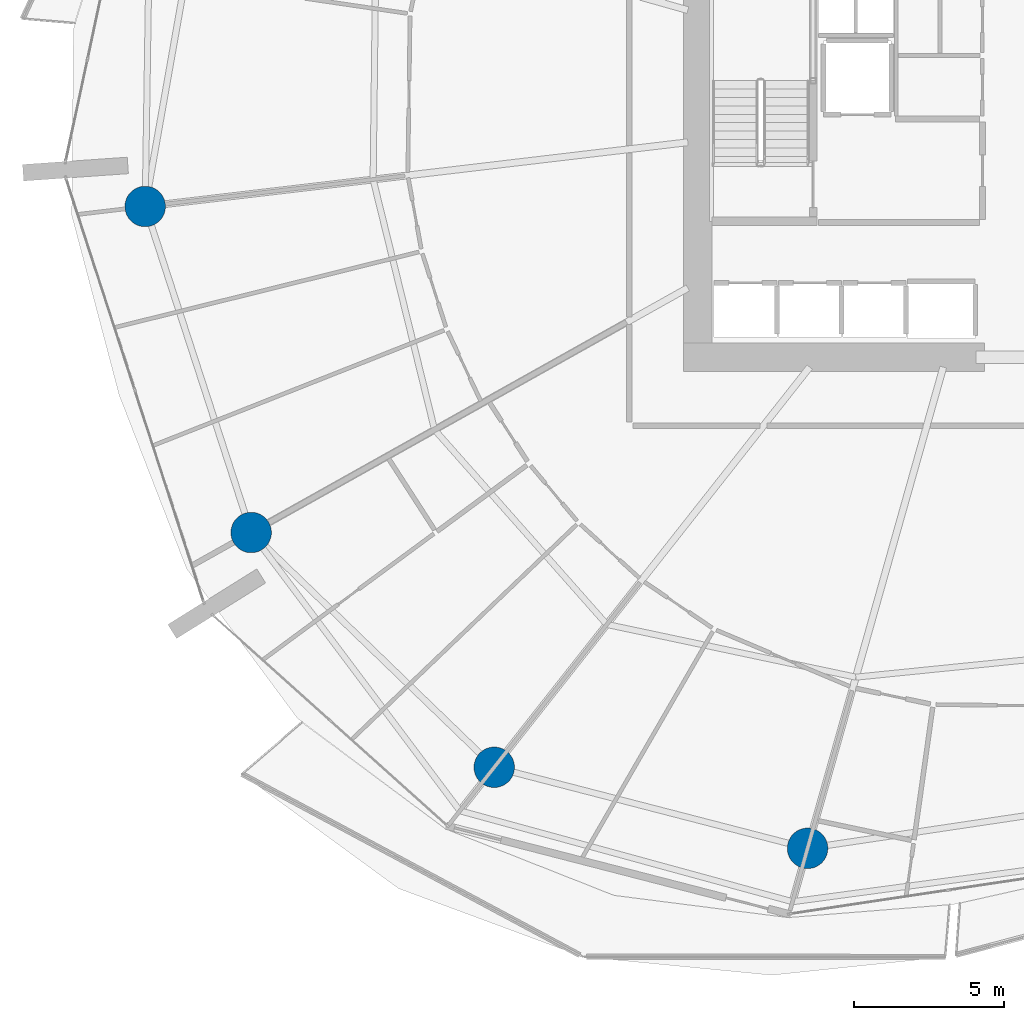
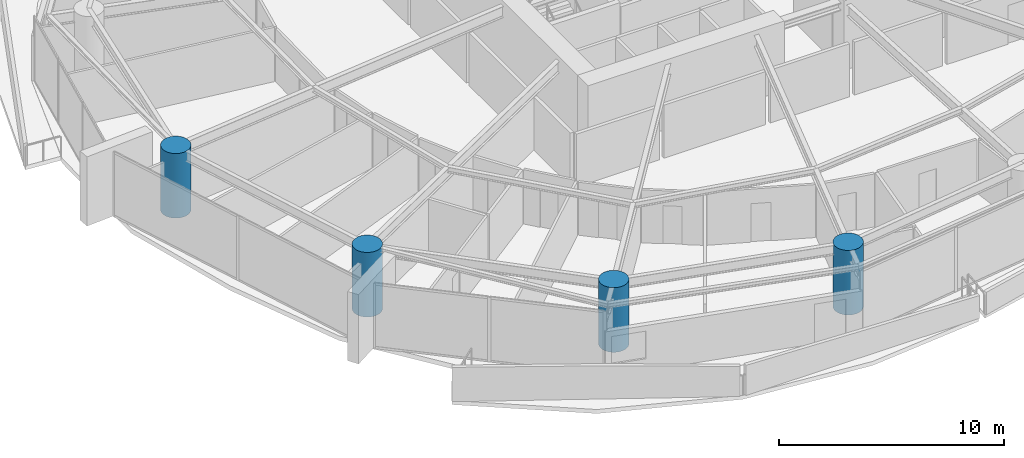
# One storey, part 1 of 31: 4 columns.
"""IFC4 building model written with IfcOpenShell, lengths in metres."""

from ifc_helpers import new_model, si_unit, direction, frame, origin, origin_2d, place, context, subcontext, project, spatial, circle, extrude, material, material_profile, profile_set, type_object, element, save


model = new_model("IFC4")

# Units and contexts
model_context = context("Model", 3, precision=1e-05, world=origin(), true_north=direction((0.0, 1.0)))
body_context = subcontext(model_context, "Body", "Model", "MODEL_VIEW")
ifc_project = project(units=[si_unit("LENGTHUNIT", "METRE"), si_unit("AREAUNIT", "SQUARE_METRE"), si_unit("VOLUMEUNIT", "CUBIC_METRE"), si_unit("PLANEANGLEUNIT", "RADIAN"), si_unit("MASSUNIT", "GRAM", prefix="KILO")], contexts=[model_context])

# Site, building, storey
site_placement = place(None, origin())
site = spatial("IfcSite", under=ifc_project, at=site_placement, CompositionType="ELEMENT")
building_placement = place(site_placement, origin())
building = spatial("IfcBuilding", under=site, at=building_placement, Name="Kazma Halo Residences", CompositionType="ELEMENT")
storey_placement = place(building_placement, frame((0.0, 0.0, 30.14990234375)))
storey = spatial("IfcBuildingStorey", under=building, at=storey_placement, Name="L06", CompositionType="ELEMENT", Elevation=30.14990234375)

# Columns
ifc_material = material(Name="Concrete C80/95", Category="concrete")
ifc_material_profile = material_profile(ifc_material, circle(Radius=0.675048828125, at=origin_2d()), Name="CIRC1350")
ifc_profile_set = profile_set([ifc_material_profile], Name="Concrete C80/95")
column_type = type_object("IfcColumnType", Name="COL-PERIM-1350", PredefinedType="COLUMN", material=ifc_profile_set)
for number, where, z_axis, x_axis, name in (
    (1, (18.902099609375, 38.555908203125, 0.0), (0.0, 0.0, 1.0), (1.0, 0.0, 0.0), "L06 perimeter ring column P08"),
    (2, (22.43505859375, 27.682861328125, 0.0), (0.0, 0.0, 1.0), (1.0, 0.0, 0.0), "L06 perimeter ring column P09"),
    (3, (30.541748046875, 19.854248046875, 0.0), (0.0, 0.0, 1.0), (1.0, 0.0, 0.0), "L06 perimeter ring column P10"),
    (4, (40.99169921875, 17.150634765625, 0.0), (0.0, 0.0, 1.0), (1.0, 0.0, 0.0), "L06 perimeter ring column P11"),
):
    element("IfcColumn", number, at=place(storey_placement, frame(where, z_axis=z_axis, x_axis=x_axis)), inside=storey, type_object=column_type, Name=name, PredefinedType="COLUMN", context=body_context, shape_type="SweptSolid", body=[
        extrude(circle(Radius=0.675048828125, at=origin_2d()), origin(), (0.0, 0.0, 1.0), 3.5),
    ])

save(model, "model.ifc")
